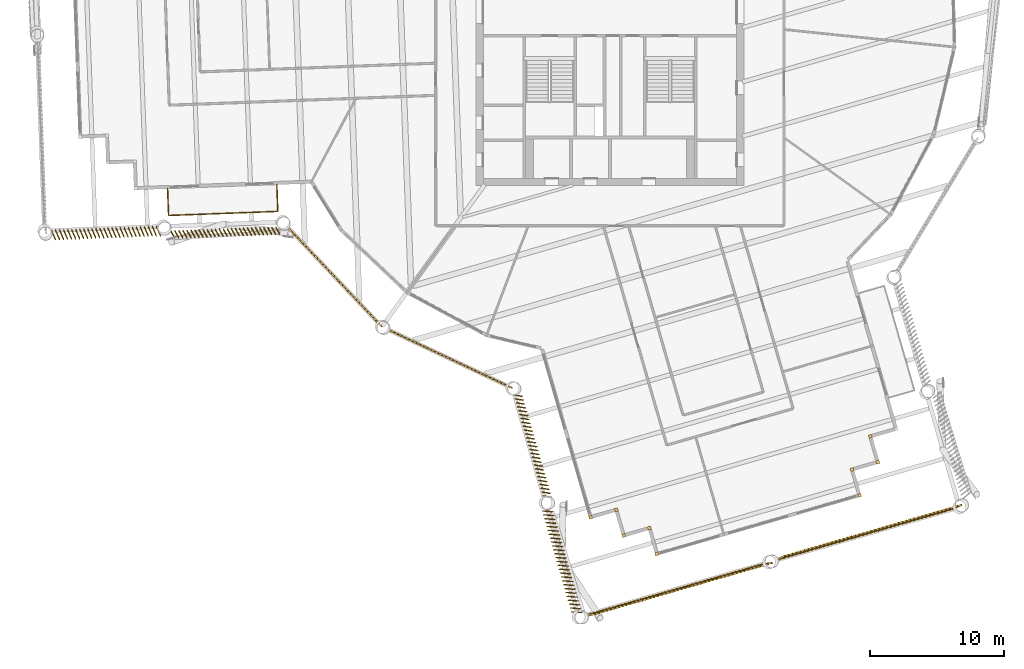
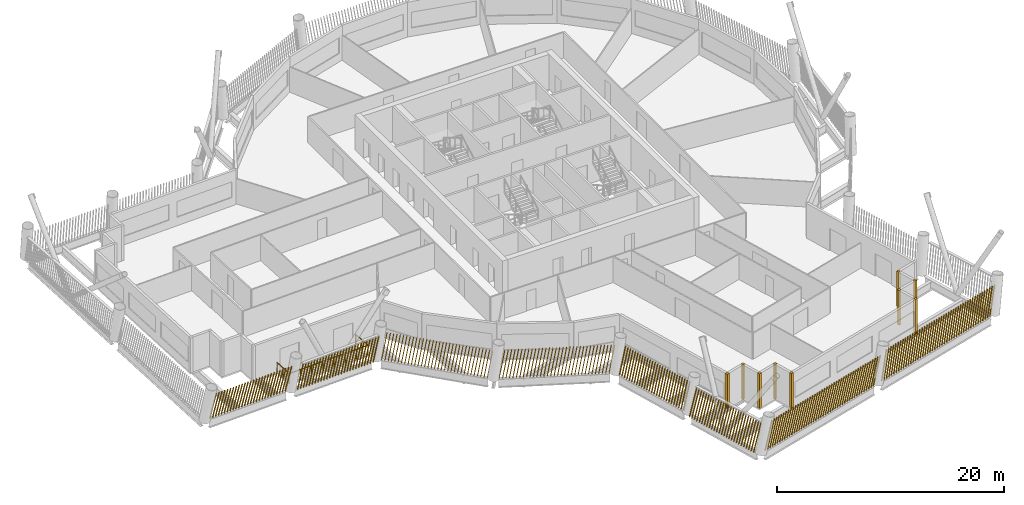
# One storey, part 16 of 20: 17 shading devices, 1 railing.
"""IFC4 building model written with IfcOpenShell, lengths in metres."""

from ifc_helpers import new_model, si_unit, direction, frame, frame_2d, origin, origin_2d, place, context, subcontext, project, spatial, rectangle, circle, composite_profile, extrude, material, type_object, element, save


model = new_model("IFC4")

# Units and contexts
model_context = context("Model", 3, precision=1e-05, world=origin(), true_north=direction((0.0, 1.0)))
body_context = subcontext(model_context, "Body", "Model", "MODEL_VIEW")
ifc_project = project(units=[si_unit("LENGTHUNIT", "METRE"), si_unit("AREAUNIT", "SQUARE_METRE"), si_unit("VOLUMEUNIT", "CUBIC_METRE"), si_unit("PLANEANGLEUNIT", "RADIAN"), si_unit("MASSUNIT", "GRAM", prefix="KILO")], contexts=[model_context])

# Site, building, storey
site_placement = place(None, origin())
site = spatial("IfcSite", under=ifc_project, at=site_placement, CompositionType="ELEMENT")
building_placement = place(site_placement, origin())
building = spatial("IfcBuilding", under=site, at=building_placement, Name="Tarsis Ring Headquarters", CompositionType="ELEMENT")
storey_placement = place(building_placement, frame((0.0, 0.0, 294.199951171875)))
storey = spatial("IfcBuildingStorey", under=building, at=storey_placement, Name="L69", CompositionType="ELEMENT", Elevation=294.199951171875)

# Railing
ifc_material_1 = material(Name="Stainless steel guard", Category="steel")
railing_type = type_object("IfcRailingType", Name="Balcony balustrade with mesh infill 1100", PredefinedType="BALUSTRADE", material=ifc_material_1)
railing_placement = place(storey_placement, frame((-33.033203125, -13.23095703125, 0.0)))
element("IfcRailing", 1, at=railing_placement, inside=storey, type_object=railing_type, Name="Balcony balustrade L69-01", PredefinedType="BALUSTRADE", context=body_context, shape_type="SweptSolid", body=[
    extrude(circle(Radius=0.030029296875, at=origin_2d()), frame((0.0, 0.0, 1.070068359375), z_axis=(0.036984572921, -0.999315836643, 0.0), x_axis=(0.999315836643, 0.036984572921, 0.0)), (0.0, 0.0, 1.0), 2.000244140625),
    extrude(circle(Radius=0.030029296875, at=origin_2d()), frame((0.073974609375, -1.998779296875, 1.070068359375), z_axis=(0.999314710988, 0.037014975394, 0.0), x_axis=(-0.037014975394, 0.999314710988, 0.0)), (0.0, 0.0, 1.0), 8.172119140625),
    extrude(circle(Radius=0.030029296875, at=origin_2d()), frame((8.240478515625, -1.6962890625, 1.070068359375), z_axis=(-0.036989084767, 0.99931566965, 0.0), x_axis=(-0.99931566965, -0.036989084767, 0.0)), (0.0, 0.0, 1.0), 2.0),
    extrude(circle(Radius=0.02490234375, at=origin_2d()), origin(), (0.0, 0.0, 1.0), 1.0400390625),
    extrude(circle(Radius=0.02490234375, at=origin_2d()), frame((0.037109375, -0.99951171875, 0.0)), (0.0, 0.0, 1.0), 1.0400390625),
    extrude(circle(Radius=0.02490234375, at=origin_2d()), frame((0.073974609375, -1.998779296875, 0.0)), (0.0, 0.0, 1.0), 1.0400390625),
    extrude(circle(Radius=0.02490234375, at=origin_2d()), frame((1.24072265625, -1.95556640625, 0.0)), (0.0, 0.0, 1.0), 1.0400390625),
    extrude(circle(Radius=0.02490234375, at=origin_2d()), frame((2.4072265625, -1.912353515625, 0.0)), (0.0, 0.0, 1.0), 1.0400390625),
    extrude(circle(Radius=0.02490234375, at=origin_2d()), frame((3.573974609375, -1.869140625, 0.0)), (0.0, 0.0, 1.0), 1.0400390625),
    extrude(circle(Radius=0.02490234375, at=origin_2d()), frame((4.740478515625, -1.825927734375, 0.0)), (0.0, 0.0, 1.0), 1.0400390625),
    extrude(circle(Radius=0.02490234375, at=origin_2d()), frame((5.9072265625, -1.78271484375, 0.0)), (0.0, 0.0, 1.0), 1.0400390625),
    extrude(circle(Radius=0.02490234375, at=origin_2d()), frame((7.07373046875, -1.739501953125, 0.0)), (0.0, 0.0, 1.0), 1.0400390625),
    extrude(circle(Radius=0.02490234375, at=origin_2d()), frame((8.240478515625, -1.6962890625, 0.0)), (0.0, 0.0, 1.0), 1.0400390625),
    extrude(circle(Radius=0.02490234375, at=origin_2d()), frame((8.20361328125, -0.697021484375, 0.0)), (0.0, 0.0, 1.0), 1.0400390625),
    extrude(circle(Radius=0.02490234375, at=origin_2d()), frame((8.16650390625, 0.30224609375, 0.0)), (0.0, 0.0, 1.0), 1.0400390625),
])

# Shading devices
ifc_material_2 = material(Name="Terracotta baguette", Category="masonry")
shading_device_type_1 = type_object("IfcShadingDeviceType", Name="Terracotta baguette screen", PredefinedType="USERDEFINED", material=ifc_material_2)
shading_device_1_placement = place(storey_placement, frame((-16.572509765625, -23.749267578125, 0.0), z_axis=(0.0, 0.0, 1.0), x_axis=(0.904859462836, -0.425708931918, 0.0)))
element("IfcShadingDevice", 2, at=shading_device_1_placement, inside=storey, type_object=shading_device_type_1, Name="Baguette screen L69-00", ObjectType="Terracotta baguette screen", PredefinedType="USERDEFINED", context=body_context, shape_type="SweptSolid", body=[
    extrude(composite_profile([rectangle(XDim=0.06005859375, YDim=0.1201171875, at=frame_2d((0.030029296875, 0.0))), rectangle(XDim=0.06005859375, YDim=0.1201171875, at=frame_2d((0.33349609375, 0.0))), rectangle(XDim=0.06005859375, YDim=0.1201171875, at=frame_2d((0.636962890625, 0.0))), rectangle(XDim=0.06005859375, YDim=0.1201171875, at=frame_2d((0.9404296875, 0.0))), rectangle(XDim=0.06005859375, YDim=0.1201171875, at=frame_2d((1.243896484375, 0.0))), rectangle(XDim=0.06005859375, YDim=0.1201171875, at=frame_2d((1.54736328125, 0.0))), rectangle(XDim=0.06005859375, YDim=0.1201171875, at=frame_2d((1.85107421875, 0.0))), rectangle(XDim=0.06005859375, YDim=0.1201171875, at=frame_2d((2.154541015625, 0.0))), rectangle(XDim=0.06005859375, YDim=0.1201171875, at=frame_2d((2.4580078125, 0.0))), rectangle(XDim=0.06005859375, YDim=0.1201171875, at=frame_2d((2.761474609375, 0.0))), rectangle(XDim=0.06005859375, YDim=0.1201171875, at=frame_2d((3.06494140625, 0.0))), rectangle(XDim=0.06005859375, YDim=0.1201171875, at=frame_2d((3.368408203125, 0.0))), rectangle(XDim=0.06005859375, YDim=0.1201171875, at=frame_2d((3.671875, 0.0))), rectangle(XDim=0.06005859375, YDim=0.1201171875, at=frame_2d((3.975341796875, 0.0))), rectangle(XDim=0.06005859375, YDim=0.1201171875, at=frame_2d((4.27880859375, 0.0))), rectangle(XDim=0.06005859375, YDim=0.1201171875, at=frame_2d((4.582275390625, 0.0))), rectangle(XDim=0.06005859375, YDim=0.1201171875, at=frame_2d((4.8857421875, 0.0))), rectangle(XDim=0.06005859375, YDim=0.1201171875, at=frame_2d((5.189453125, 0.0))), rectangle(XDim=0.06005859375, YDim=0.1201171875, at=frame_2d((5.492919921875, 0.0))), rectangle(XDim=0.06005859375, YDim=0.1201171875, at=frame_2d((5.79638671875, 0.0))), rectangle(XDim=0.06005859375, YDim=0.1201171875, at=frame_2d((6.099853515625, 0.0))), rectangle(XDim=0.06005859375, YDim=0.1201171875, at=frame_2d((6.4033203125, 0.0))), rectangle(XDim=0.06005859375, YDim=0.1201171875, at=frame_2d((6.706787109375, 0.0))), rectangle(XDim=0.06005859375, YDim=0.1201171875, at=frame_2d((7.01025390625, 0.0))), rectangle(XDim=0.06005859375, YDim=0.1201171875, at=frame_2d((7.313720703125, 0.0))), rectangle(XDim=0.06005859375, YDim=0.1201171875, at=frame_2d((7.6171875, 0.0))), rectangle(XDim=0.06005859375, YDim=0.1201171875, at=frame_2d((7.920654296875, 0.0))), rectangle(XDim=0.06005859375, YDim=0.1201171875, at=frame_2d((8.224365234375, 0.0))), rectangle(XDim=0.06005859375, YDim=0.1201171875, at=frame_2d((8.52783203125, 0.0))), rectangle(XDim=0.06005859375, YDim=0.1201171875, at=frame_2d((8.831298828125, 0.0))), rectangle(XDim=0.06005859375, YDim=0.1201171875, at=frame_2d((9.134765625, 0.0))), rectangle(XDim=0.06005859375, YDim=0.1201171875, at=frame_2d((9.438232421875, 0.0))), rectangle(XDim=0.06005859375, YDim=0.1201171875, at=frame_2d((9.74169921875, 0.0)))]), origin(), (0.165545658643, 0.001446337848, 0.986201066219), 3.00927734375),
])
shading_device_2_placement = place(storey_placement, frame((-7.13916015625, -28.602294921875, 0.0), z_axis=(0.0, 0.0, 1.0), x_axis=(0.277628448729, -0.96070071369, 0.0)))
element("IfcShadingDevice", 3, at=shading_device_2_placement, inside=storey, type_object=shading_device_type_1, Name="Baguette screen L69-01", ObjectType="Terracotta baguette screen", PredefinedType="USERDEFINED", context=body_context, shape_type="SweptSolid", body=[
    extrude(composite_profile([rectangle(XDim=0.06005859375, YDim=0.1201171875, at=frame_2d((0.030029296875, 0.0))), rectangle(XDim=0.06005859375, YDim=0.1201171875, at=frame_2d((0.33154296875, 0.0))), rectangle(XDim=0.06005859375, YDim=0.1201171875, at=frame_2d((0.63330078125, 0.0))), rectangle(XDim=0.06005859375, YDim=0.1201171875, at=frame_2d((0.934814453125, 0.0))), rectangle(XDim=0.06005859375, YDim=0.1201171875, at=frame_2d((1.236572265625, 0.0))), rectangle(XDim=0.06005859375, YDim=0.1201171875, at=frame_2d((1.5380859375, 0.0))), rectangle(XDim=0.06005859375, YDim=0.1201171875, at=frame_2d((1.83984375, 0.0))), rectangle(XDim=0.06005859375, YDim=0.1201171875, at=frame_2d((2.141357421875, 0.0))), rectangle(XDim=0.06005859375, YDim=0.1201171875, at=frame_2d((2.443115234375, 0.0))), rectangle(XDim=0.06005859375, YDim=0.1201171875, at=frame_2d((2.74462890625, 0.0))), rectangle(XDim=0.06005859375, YDim=0.1201171875, at=frame_2d((3.04638671875, 0.0))), rectangle(XDim=0.06005859375, YDim=0.1201171875, at=frame_2d((3.347900390625, 0.0))), rectangle(XDim=0.06005859375, YDim=0.1201171875, at=frame_2d((3.649658203125, 0.0))), rectangle(XDim=0.06005859375, YDim=0.1201171875, at=frame_2d((3.951171875, 0.0))), rectangle(XDim=0.06005859375, YDim=0.1201171875, at=frame_2d((4.252685546875, 0.0))), rectangle(XDim=0.06005859375, YDim=0.1201171875, at=frame_2d((4.554443359375, 0.0))), rectangle(XDim=0.06005859375, YDim=0.1201171875, at=frame_2d((4.85595703125, 0.0))), rectangle(XDim=0.06005859375, YDim=0.1201171875, at=frame_2d((5.15771484375, 0.0))), rectangle(XDim=0.06005859375, YDim=0.1201171875, at=frame_2d((5.459228515625, 0.0))), rectangle(XDim=0.06005859375, YDim=0.1201171875, at=frame_2d((5.760986328125, 0.0))), rectangle(XDim=0.06005859375, YDim=0.1201171875, at=frame_2d((6.0625, 0.0))), rectangle(XDim=0.06005859375, YDim=0.1201171875, at=frame_2d((6.3642578125, 0.0))), rectangle(XDim=0.06005859375, YDim=0.1201171875, at=frame_2d((6.665771484375, 0.0))), rectangle(XDim=0.06005859375, YDim=0.1201171875, at=frame_2d((6.967529296875, 0.0))), rectangle(XDim=0.06005859375, YDim=0.1201171875, at=frame_2d((7.26904296875, 0.0))), rectangle(XDim=0.06005859375, YDim=0.1201171875, at=frame_2d((7.57080078125, 0.0))), rectangle(XDim=0.06005859375, YDim=0.1201171875, at=frame_2d((7.872314453125, 0.0)))]), origin(), (0.083956375412, 0.170751384027, 0.981730763438), 3.02294921875),
])
shading_device_3_placement = place(storey_placement, frame((-5.02783203125, -37.258544921875, 0.0), z_axis=(0.0, 0.0, 1.0), x_axis=(0.277650766189, -0.960671033119, 0.0)))
element("IfcShadingDevice", 4, at=shading_device_3_placement, inside=storey, type_object=shading_device_type_1, Name="Baguette screen L69-02", ObjectType="Terracotta baguette screen", PredefinedType="USERDEFINED", context=body_context, shape_type="SweptSolid", body=[
    extrude(composite_profile([rectangle(XDim=0.06005859375, YDim=0.1201171875, at=frame_2d((0.030029296875, 0.0))), rectangle(XDim=0.06005859375, YDim=0.1201171875, at=frame_2d((0.33154296875, 0.0))), rectangle(XDim=0.06005859375, YDim=0.1201171875, at=frame_2d((0.63330078125, 0.0))), rectangle(XDim=0.06005859375, YDim=0.1201171875, at=frame_2d((0.934814453125, 0.0))), rectangle(XDim=0.06005859375, YDim=0.1201171875, at=frame_2d((1.236572265625, 0.0))), rectangle(XDim=0.06005859375, YDim=0.1201171875, at=frame_2d((1.5380859375, 0.0))), rectangle(XDim=0.06005859375, YDim=0.1201171875, at=frame_2d((1.83984375, 0.0))), rectangle(XDim=0.06005859375, YDim=0.1201171875, at=frame_2d((2.141357421875, 0.0))), rectangle(XDim=0.06005859375, YDim=0.1201171875, at=frame_2d((2.443115234375, 0.0))), rectangle(XDim=0.06005859375, YDim=0.1201171875, at=frame_2d((2.74462890625, 0.0))), rectangle(XDim=0.06005859375, YDim=0.1201171875, at=frame_2d((3.04638671875, 0.0))), rectangle(XDim=0.06005859375, YDim=0.1201171875, at=frame_2d((3.347900390625, 0.0))), rectangle(XDim=0.06005859375, YDim=0.1201171875, at=frame_2d((3.649658203125, 0.0))), rectangle(XDim=0.06005859375, YDim=0.1201171875, at=frame_2d((3.951171875, 0.0))), rectangle(XDim=0.06005859375, YDim=0.1201171875, at=frame_2d((4.252685546875, 0.0))), rectangle(XDim=0.06005859375, YDim=0.1201171875, at=frame_2d((4.554443359375, 0.0))), rectangle(XDim=0.06005859375, YDim=0.1201171875, at=frame_2d((4.85595703125, 0.0))), rectangle(XDim=0.06005859375, YDim=0.1201171875, at=frame_2d((5.15771484375, 0.0))), rectangle(XDim=0.06005859375, YDim=0.1201171875, at=frame_2d((5.459228515625, 0.0))), rectangle(XDim=0.06005859375, YDim=0.1201171875, at=frame_2d((5.760986328125, 0.0))), rectangle(XDim=0.06005859375, YDim=0.1201171875, at=frame_2d((6.0625, 0.0))), rectangle(XDim=0.06005859375, YDim=0.1201171875, at=frame_2d((6.3642578125, 0.0))), rectangle(XDim=0.06005859375, YDim=0.1201171875, at=frame_2d((6.665771484375, 0.0))), rectangle(XDim=0.06005859375, YDim=0.1201171875, at=frame_2d((6.967529296875, 0.0))), rectangle(XDim=0.06005859375, YDim=0.1201171875, at=frame_2d((7.26904296875, 0.0))), rectangle(XDim=0.06005859375, YDim=0.1201171875, at=frame_2d((7.57080078125, 0.0))), rectangle(XDim=0.06005859375, YDim=0.1201171875, at=frame_2d((7.872314453125, 0.0)))]), origin(), (0.084811451788, 0.219916214818, 0.9718250234), 3.0537109375),
])
shading_device_4_placement = place(storey_placement, frame((-1.854248046875, -45.087646484375, 0.0), z_axis=(0.0, 0.0, 1.0), x_axis=(0.960689264737, 0.277651970844, 0.0)))
element("IfcShadingDevice", 5, at=shading_device_4_placement, inside=storey, type_object=shading_device_type_1, Name="Baguette screen L69-03", ObjectType="Terracotta baguette screen", PredefinedType="USERDEFINED", context=body_context, shape_type="SweptSolid", body=[
    extrude(composite_profile([rectangle(XDim=0.06005859375, YDim=0.1201171875, at=frame_2d((0.030029296875, 0.0))), rectangle(XDim=0.06005859375, YDim=0.1201171875, at=frame_2d((0.33544921875, 0.0))), rectangle(XDim=0.06005859375, YDim=0.1201171875, at=frame_2d((0.640625, 0.0))), rectangle(XDim=0.06005859375, YDim=0.1201171875, at=frame_2d((0.946044921875, 0.0))), rectangle(XDim=0.06005859375, YDim=0.1201171875, at=frame_2d((1.25146484375, 0.0))), rectangle(XDim=0.06005859375, YDim=0.1201171875, at=frame_2d((1.556640625, 0.0))), rectangle(XDim=0.06005859375, YDim=0.1201171875, at=frame_2d((1.862060546875, 0.0))), rectangle(XDim=0.06005859375, YDim=0.1201171875, at=frame_2d((2.16748046875, 0.0))), rectangle(XDim=0.06005859375, YDim=0.1201171875, at=frame_2d((2.47265625, 0.0))), rectangle(XDim=0.06005859375, YDim=0.1201171875, at=frame_2d((2.778076171875, 0.0))), rectangle(XDim=0.06005859375, YDim=0.1201171875, at=frame_2d((3.08349609375, 0.0))), rectangle(XDim=0.06005859375, YDim=0.1201171875, at=frame_2d((3.388671875, 0.0))), rectangle(XDim=0.06005859375, YDim=0.1201171875, at=frame_2d((3.694091796875, 0.0))), rectangle(XDim=0.06005859375, YDim=0.1201171875, at=frame_2d((3.99951171875, 0.0))), rectangle(XDim=0.06005859375, YDim=0.1201171875, at=frame_2d((4.3046875, 0.0))), rectangle(XDim=0.06005859375, YDim=0.1201171875, at=frame_2d((4.610107421875, 0.0))), rectangle(XDim=0.06005859375, YDim=0.1201171875, at=frame_2d((4.91552734375, 0.0))), rectangle(XDim=0.06005859375, YDim=0.1201171875, at=frame_2d((5.220703125, 0.0))), rectangle(XDim=0.06005859375, YDim=0.1201171875, at=frame_2d((5.526123046875, 0.0))), rectangle(XDim=0.06005859375, YDim=0.1201171875, at=frame_2d((5.83154296875, 0.0))), rectangle(XDim=0.06005859375, YDim=0.1201171875, at=frame_2d((6.13671875, 0.0))), rectangle(XDim=0.06005859375, YDim=0.1201171875, at=frame_2d((6.442138671875, 0.0))), rectangle(XDim=0.06005859375, YDim=0.1201171875, at=frame_2d((6.74755859375, 0.0))), rectangle(XDim=0.06005859375, YDim=0.1201171875, at=frame_2d((7.052734375, 0.0))), rectangle(XDim=0.06005859375, YDim=0.1201171875, at=frame_2d((7.358154296875, 0.0))), rectangle(XDim=0.06005859375, YDim=0.1201171875, at=frame_2d((7.66357421875, 0.0))), rectangle(XDim=0.06005859375, YDim=0.1201171875, at=frame_2d((7.96875, 0.0))), rectangle(XDim=0.06005859375, YDim=0.1201171875, at=frame_2d((8.274169921875, 0.0))), rectangle(XDim=0.06005859375, YDim=0.1201171875, at=frame_2d((8.57958984375, 0.0))), rectangle(XDim=0.06005859375, YDim=0.1201171875, at=frame_2d((8.884765625, 0.0))), rectangle(XDim=0.06005859375, YDim=0.1201171875, at=frame_2d((9.190185546875, 0.0))), rectangle(XDim=0.06005859375, YDim=0.1201171875, at=frame_2d((9.49560546875, 0.0))), rectangle(XDim=0.06005859375, YDim=0.1201171875, at=frame_2d((9.80078125, 0.0))), rectangle(XDim=0.06005859375, YDim=0.1201171875, at=frame_2d((10.106201171875, 0.0))), rectangle(XDim=0.06005859375, YDim=0.1201171875, at=frame_2d((10.41162109375, 0.0))), rectangle(XDim=0.06005859375, YDim=0.1201171875, at=frame_2d((10.716796875, 0.0))), rectangle(XDim=0.06005859375, YDim=0.1201171875, at=frame_2d((11.022216796875, 0.0))), rectangle(XDim=0.06005859375, YDim=0.1201171875, at=frame_2d((11.32763671875, 0.0))), rectangle(XDim=0.06005859375, YDim=0.1201171875, at=frame_2d((11.6328125, 0.0))), rectangle(XDim=0.06005859375, YDim=0.1201171875, at=frame_2d((11.938232421875, 0.0))), rectangle(XDim=0.06005859375, YDim=0.1201171875, at=frame_2d((12.24365234375, 0.0))), rectangle(XDim=0.06005859375, YDim=0.1201171875, at=frame_2d((12.548828125, 0.0))), rectangle(XDim=0.06005859375, YDim=0.1201171875, at=frame_2d((12.854248046875, 0.0))), rectangle(XDim=0.06005859375, YDim=0.1201171875, at=frame_2d((13.15966796875, 0.0))), rectangle(XDim=0.06005859375, YDim=0.1201171875, at=frame_2d((13.46484375, 0.0))), rectangle(XDim=0.06005859375, YDim=0.1201171875, at=frame_2d((13.770263671875, 0.0)))]), origin(), (0.244231137453, -0.04003494307, 0.968890269758), 3.06298828125),
])
shading_device_5_placement = place(storey_placement, frame((12.36376953125, -40.978271484375, 0.0), z_axis=(0.0, 0.0, 1.0), x_axis=(0.960689264737, 0.277651970844, 0.0)))
element("IfcShadingDevice", 6, at=shading_device_5_placement, inside=storey, type_object=shading_device_type_1, Name="Baguette screen L69-04", ObjectType="Terracotta baguette screen", PredefinedType="USERDEFINED", context=body_context, shape_type="SweptSolid", body=[
    extrude(composite_profile([rectangle(XDim=0.06005859375, YDim=0.1201171875, at=frame_2d((0.030029296875, 0.0))), rectangle(XDim=0.06005859375, YDim=0.1201171875, at=frame_2d((0.33544921875, 0.0))), rectangle(XDim=0.06005859375, YDim=0.1201171875, at=frame_2d((0.640625, 0.0))), rectangle(XDim=0.06005859375, YDim=0.1201171875, at=frame_2d((0.946044921875, 0.0))), rectangle(XDim=0.06005859375, YDim=0.1201171875, at=frame_2d((1.25146484375, 0.0))), rectangle(XDim=0.06005859375, YDim=0.1201171875, at=frame_2d((1.556640625, 0.0))), rectangle(XDim=0.06005859375, YDim=0.1201171875, at=frame_2d((1.862060546875, 0.0))), rectangle(XDim=0.06005859375, YDim=0.1201171875, at=frame_2d((2.16748046875, 0.0))), rectangle(XDim=0.06005859375, YDim=0.1201171875, at=frame_2d((2.47265625, 0.0))), rectangle(XDim=0.06005859375, YDim=0.1201171875, at=frame_2d((2.778076171875, 0.0))), rectangle(XDim=0.06005859375, YDim=0.1201171875, at=frame_2d((3.08349609375, 0.0))), rectangle(XDim=0.06005859375, YDim=0.1201171875, at=frame_2d((3.388671875, 0.0))), rectangle(XDim=0.06005859375, YDim=0.1201171875, at=frame_2d((3.694091796875, 0.0))), rectangle(XDim=0.06005859375, YDim=0.1201171875, at=frame_2d((3.99951171875, 0.0))), rectangle(XDim=0.06005859375, YDim=0.1201171875, at=frame_2d((4.3046875, 0.0))), rectangle(XDim=0.06005859375, YDim=0.1201171875, at=frame_2d((4.610107421875, 0.0))), rectangle(XDim=0.06005859375, YDim=0.1201171875, at=frame_2d((4.91552734375, 0.0))), rectangle(XDim=0.06005859375, YDim=0.1201171875, at=frame_2d((5.220703125, 0.0))), rectangle(XDim=0.06005859375, YDim=0.1201171875, at=frame_2d((5.526123046875, 0.0))), rectangle(XDim=0.06005859375, YDim=0.1201171875, at=frame_2d((5.83154296875, 0.0))), rectangle(XDim=0.06005859375, YDim=0.1201171875, at=frame_2d((6.13671875, 0.0))), rectangle(XDim=0.06005859375, YDim=0.1201171875, at=frame_2d((6.442138671875, 0.0))), rectangle(XDim=0.06005859375, YDim=0.1201171875, at=frame_2d((6.74755859375, 0.0))), rectangle(XDim=0.06005859375, YDim=0.1201171875, at=frame_2d((7.052734375, 0.0))), rectangle(XDim=0.06005859375, YDim=0.1201171875, at=frame_2d((7.358154296875, 0.0))), rectangle(XDim=0.06005859375, YDim=0.1201171875, at=frame_2d((7.66357421875, 0.0))), rectangle(XDim=0.06005859375, YDim=0.1201171875, at=frame_2d((7.96875, 0.0))), rectangle(XDim=0.06005859375, YDim=0.1201171875, at=frame_2d((8.274169921875, 0.0))), rectangle(XDim=0.06005859375, YDim=0.1201171875, at=frame_2d((8.57958984375, 0.0))), rectangle(XDim=0.06005859375, YDim=0.1201171875, at=frame_2d((8.884765625, 0.0))), rectangle(XDim=0.06005859375, YDim=0.1201171875, at=frame_2d((9.190185546875, 0.0))), rectangle(XDim=0.06005859375, YDim=0.1201171875, at=frame_2d((9.49560546875, 0.0))), rectangle(XDim=0.06005859375, YDim=0.1201171875, at=frame_2d((9.80078125, 0.0))), rectangle(XDim=0.06005859375, YDim=0.1201171875, at=frame_2d((10.106201171875, 0.0))), rectangle(XDim=0.06005859375, YDim=0.1201171875, at=frame_2d((10.41162109375, 0.0))), rectangle(XDim=0.06005859375, YDim=0.1201171875, at=frame_2d((10.716796875, 0.0))), rectangle(XDim=0.06005859375, YDim=0.1201171875, at=frame_2d((11.022216796875, 0.0))), rectangle(XDim=0.06005859375, YDim=0.1201171875, at=frame_2d((11.32763671875, 0.0))), rectangle(XDim=0.06005859375, YDim=0.1201171875, at=frame_2d((11.6328125, 0.0))), rectangle(XDim=0.06005859375, YDim=0.1201171875, at=frame_2d((11.938232421875, 0.0))), rectangle(XDim=0.06005859375, YDim=0.1201171875, at=frame_2d((12.24365234375, 0.0))), rectangle(XDim=0.06005859375, YDim=0.1201171875, at=frame_2d((12.548828125, 0.0))), rectangle(XDim=0.06005859375, YDim=0.1201171875, at=frame_2d((12.854248046875, 0.0))), rectangle(XDim=0.06005859375, YDim=0.1201171875, at=frame_2d((13.15966796875, 0.0))), rectangle(XDim=0.06005859375, YDim=0.1201171875, at=frame_2d((13.46484375, 0.0))), rectangle(XDim=0.06005859375, YDim=0.1201171875, at=frame_2d((13.770263671875, 0.0)))]), origin(), (0.243495288949, 0.044291469426, 0.96889024662), 3.06298828125),
])
shading_device_6_placement = place(storey_placement, frame((-41.7236328125, -16.354736328125, 0.0), z_axis=(0.0, 0.0, 1.0), x_axis=(0.999320316362, 0.037011863569, 0.0)))
element("IfcShadingDevice", 7, at=shading_device_6_placement, inside=storey, type_object=shading_device_type_1, Name="Baguette screen L69-19", ObjectType="Terracotta baguette screen", PredefinedType="USERDEFINED", context=body_context, shape_type="SweptSolid", body=[
    extrude(composite_profile([rectangle(XDim=0.06005859375, YDim=0.1201171875, at=frame_2d((0.030029296875, 0.0))), rectangle(XDim=0.06005859375, YDim=0.1201171875, at=frame_2d((0.33154296875, 0.0))), rectangle(XDim=0.06005859375, YDim=0.1201171875, at=frame_2d((0.63330078125, 0.0))), rectangle(XDim=0.06005859375, YDim=0.1201171875, at=frame_2d((0.934814453125, 0.0))), rectangle(XDim=0.06005859375, YDim=0.1201171875, at=frame_2d((1.236572265625, 0.0))), rectangle(XDim=0.06005859375, YDim=0.1201171875, at=frame_2d((1.5380859375, 0.0))), rectangle(XDim=0.06005859375, YDim=0.1201171875, at=frame_2d((1.83984375, 0.0))), rectangle(XDim=0.06005859375, YDim=0.1201171875, at=frame_2d((2.141357421875, 0.0))), rectangle(XDim=0.06005859375, YDim=0.1201171875, at=frame_2d((2.443115234375, 0.0))), rectangle(XDim=0.06005859375, YDim=0.1201171875, at=frame_2d((2.74462890625, 0.0))), rectangle(XDim=0.06005859375, YDim=0.1201171875, at=frame_2d((3.04638671875, 0.0))), rectangle(XDim=0.06005859375, YDim=0.1201171875, at=frame_2d((3.347900390625, 0.0))), rectangle(XDim=0.06005859375, YDim=0.1201171875, at=frame_2d((3.649658203125, 0.0))), rectangle(XDim=0.06005859375, YDim=0.1201171875, at=frame_2d((3.951171875, 0.0))), rectangle(XDim=0.06005859375, YDim=0.1201171875, at=frame_2d((4.252685546875, 0.0))), rectangle(XDim=0.06005859375, YDim=0.1201171875, at=frame_2d((4.554443359375, 0.0))), rectangle(XDim=0.06005859375, YDim=0.1201171875, at=frame_2d((4.85595703125, 0.0))), rectangle(XDim=0.06005859375, YDim=0.1201171875, at=frame_2d((5.15771484375, 0.0))), rectangle(XDim=0.06005859375, YDim=0.1201171875, at=frame_2d((5.459228515625, 0.0))), rectangle(XDim=0.06005859375, YDim=0.1201171875, at=frame_2d((5.760986328125, 0.0))), rectangle(XDim=0.06005859375, YDim=0.1201171875, at=frame_2d((6.0625, 0.0))), rectangle(XDim=0.06005859375, YDim=0.1201171875, at=frame_2d((6.3642578125, 0.0))), rectangle(XDim=0.06005859375, YDim=0.1201171875, at=frame_2d((6.665771484375, 0.0))), rectangle(XDim=0.06005859375, YDim=0.1201171875, at=frame_2d((6.967529296875, 0.0))), rectangle(XDim=0.06005859375, YDim=0.1201171875, at=frame_2d((7.26904296875, 0.0))), rectangle(XDim=0.06005859375, YDim=0.1201171875, at=frame_2d((7.57080078125, 0.0))), rectangle(XDim=0.06005859375, YDim=0.1201171875, at=frame_2d((7.872314453125, 0.0)))]), origin(), (0.086506139908, -0.218466830938, 0.972002536796), 3.05322265625),
])
shading_device_7_placement = place(storey_placement, frame((-32.8134765625, -16.400146484375, 0.0), z_axis=(0.0, 0.0, 1.0), x_axis=(0.999320295363, 0.037013007075, 0.0)))
element("IfcShadingDevice", 8, at=shading_device_7_placement, inside=storey, type_object=shading_device_type_1, Name="Baguette screen L69-20", ObjectType="Terracotta baguette screen", PredefinedType="USERDEFINED", context=body_context, shape_type="SweptSolid", body=[
    extrude(composite_profile([rectangle(XDim=0.06005859375, YDim=0.1201171875, at=frame_2d((0.030029296875, 0.0))), rectangle(XDim=0.06005859375, YDim=0.1201171875, at=frame_2d((0.33154296875, 0.0))), rectangle(XDim=0.06005859375, YDim=0.1201171875, at=frame_2d((0.63330078125, 0.0))), rectangle(XDim=0.06005859375, YDim=0.1201171875, at=frame_2d((0.934814453125, 0.0))), rectangle(XDim=0.06005859375, YDim=0.1201171875, at=frame_2d((1.236572265625, 0.0))), rectangle(XDim=0.06005859375, YDim=0.1201171875, at=frame_2d((1.5380859375, 0.0))), rectangle(XDim=0.06005859375, YDim=0.1201171875, at=frame_2d((1.83984375, 0.0))), rectangle(XDim=0.06005859375, YDim=0.1201171875, at=frame_2d((2.141357421875, 0.0))), rectangle(XDim=0.06005859375, YDim=0.1201171875, at=frame_2d((2.443115234375, 0.0))), rectangle(XDim=0.06005859375, YDim=0.1201171875, at=frame_2d((2.74462890625, 0.0))), rectangle(XDim=0.06005859375, YDim=0.1201171875, at=frame_2d((3.04638671875, 0.0))), rectangle(XDim=0.06005859375, YDim=0.1201171875, at=frame_2d((3.347900390625, 0.0))), rectangle(XDim=0.06005859375, YDim=0.1201171875, at=frame_2d((3.649658203125, 0.0))), rectangle(XDim=0.06005859375, YDim=0.1201171875, at=frame_2d((3.951171875, 0.0))), rectangle(XDim=0.06005859375, YDim=0.1201171875, at=frame_2d((4.252685546875, 0.0))), rectangle(XDim=0.06005859375, YDim=0.1201171875, at=frame_2d((4.554443359375, 0.0))), rectangle(XDim=0.06005859375, YDim=0.1201171875, at=frame_2d((4.85595703125, 0.0))), rectangle(XDim=0.06005859375, YDim=0.1201171875, at=frame_2d((5.15771484375, 0.0))), rectangle(XDim=0.06005859375, YDim=0.1201171875, at=frame_2d((5.459228515625, 0.0))), rectangle(XDim=0.06005859375, YDim=0.1201171875, at=frame_2d((5.760986328125, 0.0))), rectangle(XDim=0.06005859375, YDim=0.1201171875, at=frame_2d((6.0625, 0.0))), rectangle(XDim=0.06005859375, YDim=0.1201171875, at=frame_2d((6.3642578125, 0.0))), rectangle(XDim=0.06005859375, YDim=0.1201171875, at=frame_2d((6.665771484375, 0.0))), rectangle(XDim=0.06005859375, YDim=0.1201171875, at=frame_2d((6.967529296875, 0.0))), rectangle(XDim=0.06005859375, YDim=0.1201171875, at=frame_2d((7.26904296875, 0.0))), rectangle(XDim=0.06005859375, YDim=0.1201171875, at=frame_2d((7.57080078125, 0.0))), rectangle(XDim=0.06005859375, YDim=0.1201171875, at=frame_2d((7.872314453125, 0.0)))]), origin(), (0.089072593198, -0.16920792717, 0.981547120888), 3.023681640625),
])
shading_device_8_placement = place(storey_placement, frame((-24.087158203125, -16.07763671875, 0.0), z_axis=(0.0, 0.0, 1.0), x_axis=(0.687537477513, -0.726164301419, 0.0)))
element("IfcShadingDevice", 9, at=shading_device_8_placement, inside=storey, type_object=shading_device_type_1, Name="Baguette screen L69-21", ObjectType="Terracotta baguette screen", PredefinedType="USERDEFINED", context=body_context, shape_type="SweptSolid", body=[
    extrude(composite_profile([rectangle(XDim=0.06005859375, YDim=0.1201171875, at=frame_2d((0.030029296875, 0.0))), rectangle(XDim=0.06005859375, YDim=0.1201171875, at=frame_2d((0.33349609375, 0.0))), rectangle(XDim=0.06005859375, YDim=0.1201171875, at=frame_2d((0.636962890625, 0.0))), rectangle(XDim=0.06005859375, YDim=0.1201171875, at=frame_2d((0.9404296875, 0.0))), rectangle(XDim=0.06005859375, YDim=0.1201171875, at=frame_2d((1.243896484375, 0.0))), rectangle(XDim=0.06005859375, YDim=0.1201171875, at=frame_2d((1.54736328125, 0.0))), rectangle(XDim=0.06005859375, YDim=0.1201171875, at=frame_2d((1.850830078125, 0.0))), rectangle(XDim=0.06005859375, YDim=0.1201171875, at=frame_2d((2.154296875, 0.0))), rectangle(XDim=0.06005859375, YDim=0.1201171875, at=frame_2d((2.4580078125, 0.0))), rectangle(XDim=0.06005859375, YDim=0.1201171875, at=frame_2d((2.761474609375, 0.0))), rectangle(XDim=0.06005859375, YDim=0.1201171875, at=frame_2d((3.06494140625, 0.0))), rectangle(XDim=0.06005859375, YDim=0.1201171875, at=frame_2d((3.368408203125, 0.0))), rectangle(XDim=0.06005859375, YDim=0.1201171875, at=frame_2d((3.671875, 0.0))), rectangle(XDim=0.06005859375, YDim=0.1201171875, at=frame_2d((3.975341796875, 0.0))), rectangle(XDim=0.06005859375, YDim=0.1201171875, at=frame_2d((4.27880859375, 0.0))), rectangle(XDim=0.06005859375, YDim=0.1201171875, at=frame_2d((4.582275390625, 0.0))), rectangle(XDim=0.06005859375, YDim=0.1201171875, at=frame_2d((4.8857421875, 0.0))), rectangle(XDim=0.06005859375, YDim=0.1201171875, at=frame_2d((5.189208984375, 0.0))), rectangle(XDim=0.06005859375, YDim=0.1201171875, at=frame_2d((5.49267578125, 0.0))), rectangle(XDim=0.06005859375, YDim=0.1201171875, at=frame_2d((5.796142578125, 0.0))), rectangle(XDim=0.06005859375, YDim=0.1201171875, at=frame_2d((6.099609375, 0.0))), rectangle(XDim=0.06005859375, YDim=0.1201171875, at=frame_2d((6.403076171875, 0.0))), rectangle(XDim=0.06005859375, YDim=0.1201171875, at=frame_2d((6.70654296875, 0.0))), rectangle(XDim=0.06005859375, YDim=0.1201171875, at=frame_2d((7.010009765625, 0.0))), rectangle(XDim=0.06005859375, YDim=0.1201171875, at=frame_2d((7.3134765625, 0.0))), rectangle(XDim=0.06005859375, YDim=0.1201171875, at=frame_2d((7.6171875, 0.0))), rectangle(XDim=0.06005859375, YDim=0.1201171875, at=frame_2d((7.920654296875, 0.0))), rectangle(XDim=0.06005859375, YDim=0.1201171875, at=frame_2d((8.22412109375, 0.0))), rectangle(XDim=0.06005859375, YDim=0.1201171875, at=frame_2d((8.527587890625, 0.0))), rectangle(XDim=0.06005859375, YDim=0.1201171875, at=frame_2d((8.8310546875, 0.0))), rectangle(XDim=0.06005859375, YDim=0.1201171875, at=frame_2d((9.134521484375, 0.0))), rectangle(XDim=0.06005859375, YDim=0.1201171875, at=frame_2d((9.43798828125, 0.0))), rectangle(XDim=0.06005859375, YDim=0.1201171875, at=frame_2d((9.741455078125, 0.0)))]), origin(), (0.16554749838, 0.001445117824, 0.986200759184), 3.00927734375),
])
shading_device_type_2 = type_object("IfcShadingDeviceType", Name="Terracotta corner baguette 250x250", PredefinedType="USERDEFINED", material=ifc_material_2)
for number, where, z_axis, x_axis, name in (
    (10, (-1.447509765625, -37.761474609375, 0.0), (0.0, 0.0, 1.0), (0.277650045127, -0.960682284858, 0.0), "Corner baguette L69-07"),
    (11, (0.473876953125, -37.206298828125, 0.0), (0.0, 0.0, 1.0), (0.960682406006, 0.27764962595, 0.0), "Corner baguette L69-08"),
    (12, (1.029296875, -39.127685546875, 0.0), (0.0, 0.0, 1.0), (0.277649944525, -0.960682313934, 0.0), "Corner baguette L69-09"),
    (13, (2.95068359375, -38.572265625, 0.0), (0.0, 0.0, 1.0), (0.960682178248, 0.277650414003, 0.0), "Corner baguette L69-10"),
    (14, (3.505859375, -40.49365234375, 0.0), (0.0, 0.0, 1.0), (0.277649944525, -0.960682313934, 0.0), "Corner baguette L69-11"),
    (15, (18.63671875, -36.12060546875, 0.0), (0.0, 0.0, 1.0), (0.960682299396, 0.277649994826, 0.0), "Corner baguette L69-12"),
    (16, (18.081298828125, -34.199462890625, 0.0), (0.0, 0.0, 1.0), (-0.277650414003, 0.960682178248, 0.0), "Corner baguette L69-13"),
    (17, (20.002685546875, -33.64404296875, 0.0), (0.0, 0.0, 1.0), (0.960682313934, 0.277649944525, 0.0), "Corner baguette L69-14"),
    (18, (19.447509765625, -31.72265625, 0.0), (0.0, 0.0, 1.0), (-0.277650078661, 0.960682275167, 0.0), "Corner baguette L69-15"),
):
    element("IfcShadingDevice", number, at=place(storey_placement, frame(where, z_axis=z_axis, x_axis=x_axis)), inside=storey, type_object=shading_device_type_2, Name=name, ObjectType="Terracotta corner baguette", PredefinedType="USERDEFINED", context=body_context, shape_type="SweptSolid", body=[
        extrude(rectangle(XDim=0.25, YDim=0.25, at=origin_2d()), origin(), (0.0, 0.0, 1.0), 3.739990234375),
    ])

save(model, "model.ifc")
